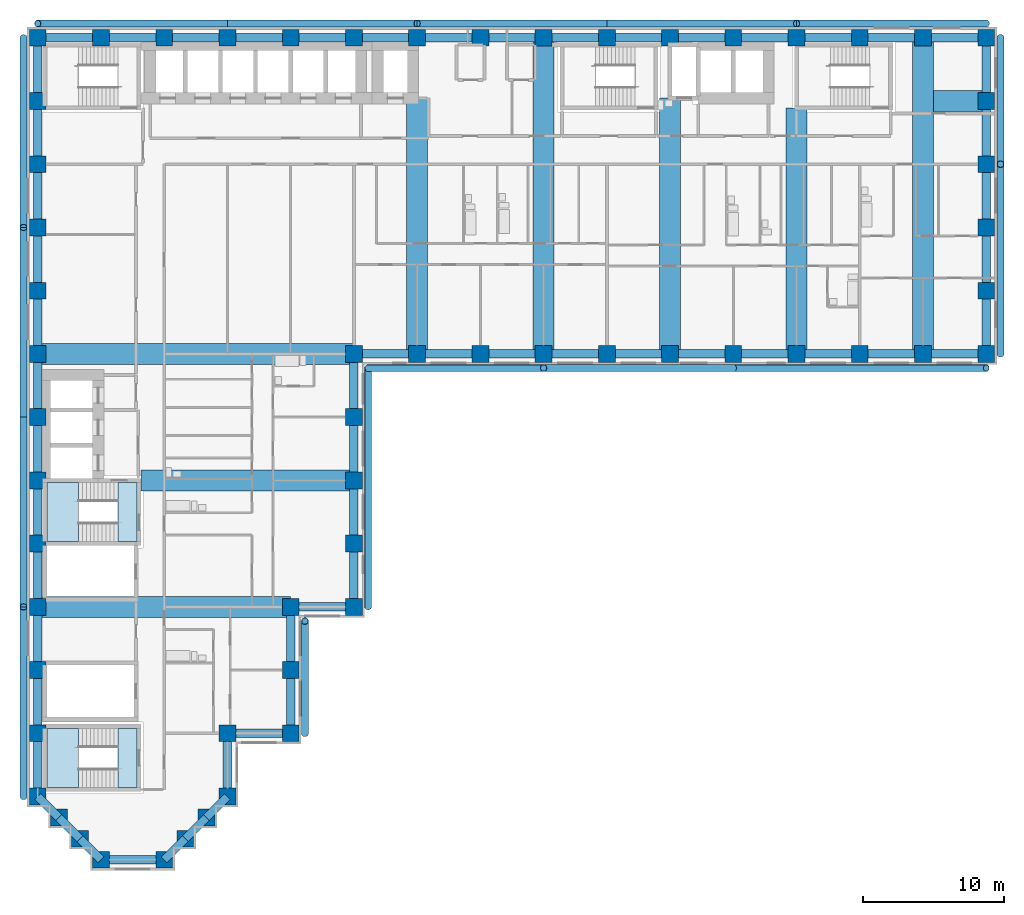
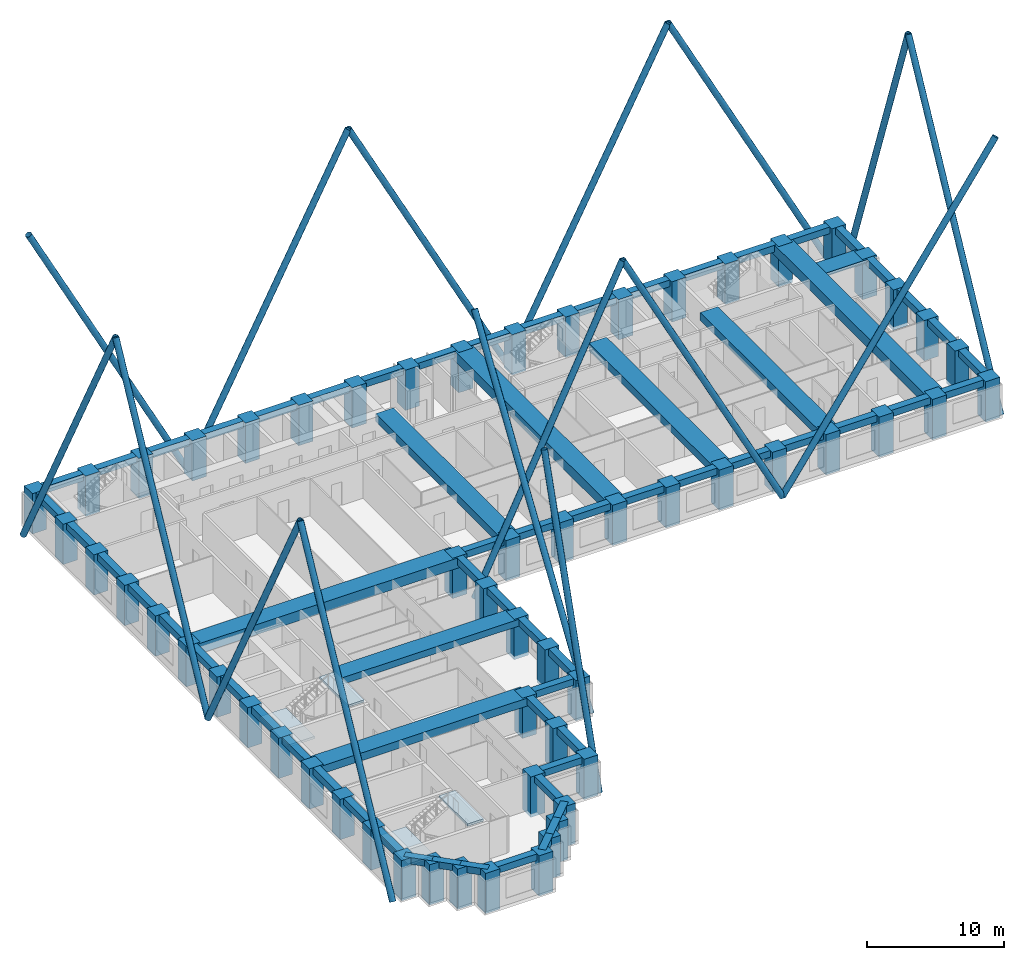
# One storey, part 1 of 12: 67 beams, 58 columns, 16 members, 4 slabs, 2 elements without a shape of their own.
"""IFC4 building model written with IfcOpenShell, lengths in metres."""

from ifc_helpers import new_model, si_unit, direction, frame, origin, origin_2d, place, context, subcontext, project, spatial, polyline, rectangle, hollow_circle, outline, extrude, material, layer, layer_set, material_profile, profile_set, type_object, element, aggregate, save


model = new_model("IFC4")

# Units and contexts
model_context = context("Model", 3, precision=1e-05, world=origin(), true_north=direction((0.0, 1.0)))
body_context = subcontext(model_context, "Body", "Model", "MODEL_VIEW")
ifc_project = project(units=[si_unit("LENGTHUNIT", "METRE"), si_unit("AREAUNIT", "SQUARE_METRE"), si_unit("VOLUMEUNIT", "CUBIC_METRE"), si_unit("PLANEANGLEUNIT", "RADIAN"), si_unit("MASSUNIT", "GRAM", prefix="KILO")], contexts=[model_context])

# Site, building, storey
site_placement = place(None, origin())
site = spatial("IfcSite", under=ifc_project, at=site_placement, CompositionType="ELEMENT")
building_placement = place(site_placement, origin())
building = spatial("IfcBuilding", under=site, at=building_placement, Name="Firuza Court", CompositionType="ELEMENT")
storey_placement = place(building_placement, frame((0.0, 0.0, 93.800048828125)))
storey = spatial("IfcBuildingStorey", under=building, at=storey_placement, Name="L23", CompositionType="ELEMENT", Elevation=93.800048828125)

# Columns
ifc_material_1 = material(Name="Concrete C70/85", Category="concrete")
ifc_material_profile_1 = material_profile(ifc_material_1, rectangle(XDim=1.199951171875, YDim=1.199951171875, at=origin_2d()), Name="RC 1200x1200")
ifc_profile_set_1 = profile_set([ifc_material_profile_1], Name="Concrete C70/85")
column_type = type_object("IfcColumnType", Name="Tube column RC 1200x1200 C70/85", PredefinedType="COLUMN", material=ifc_profile_set_1)
for number, where, z_axis, x_axis, name in (
    (1, (4.5, 0.0, -0.300048828125), (0.0, 0.0, 1.0), (1.0, 0.0, 0.0), "Column C-2D L23"),
    (2, (9.0, 0.0, -0.300048828125), (0.0, 0.0, 1.0), (1.0, 0.0, 0.0), "Column C-3D L23"),
    (3, (3.0, 1.5, -0.300048828125), (0.0, 0.0, 1.0), (1.0, 0.0, 0.0), "Column C-SA1 L23"),
    (4, (10.5, 1.5, -0.300048828125), (0.0, 0.0, 1.0), (1.0, 0.0, 0.0), "Column C-SA2 L23"),
    (5, (1.5, 3.0, -0.300048828125), (0.0, 0.0, 1.0), (1.0, 0.0, 0.0), "Column C-SA3 L23"),
    (6, (12.0, 3.0, -0.300048828125), (0.0, 0.0, 1.0), (1.0, 0.0, 0.0), "Column C-SA4 L23"),
    (7, (0.0, 4.5, -0.300048828125), (0.0, 0.0, 1.0), (1.0, 0.0, 0.0), "Column C-1E L23"),
    (8, (13.5, 4.5, -0.300048828125), (0.0, 0.0, 1.0), (1.0, 0.0, 0.0), "Column C-4E L23"),
    (9, (0.0, 9.0, -0.300048828125), (0.0, 0.0, 1.0), (1.0, 0.0, 0.0), "Column C-1F L23"),
    (10, (13.5, 9.0, -0.300048828125), (0.0, 0.0, 1.0), (1.0, 0.0, 0.0), "Column C-4F L23"),
    (11, (18.0, 9.0, -0.300048828125), (0.0, 0.0, 1.0), (1.0, 0.0, 0.0), "Column C-5F L23"),
    (12, (0.0, 13.5, -0.300048828125), (0.0, 0.0, 1.0), (1.0, 0.0, 0.0), "Column C-1G L23"),
    (13, (18.0, 13.5, -0.300048828125), (0.0, 0.0, 1.0), (1.0, 0.0, 0.0), "Column C-5G L23"),
    (14, (0.0, 18.0, -0.300048828125), (0.0, 0.0, 1.0), (1.0, 0.0, 0.0), "Column C-1H L23"),
    (15, (18.0, 18.0, -0.300048828125), (0.0, 0.0, 1.0), (1.0, 0.0, 0.0), "Column C-5H L23"),
    (16, (22.5, 18.0, -0.300048828125), (0.0, 0.0, 1.0), (1.0, 0.0, 0.0), "Column C-6H L23"),
    (17, (0.0, 22.5, -0.300048828125), (0.0, 0.0, 1.0), (1.0, 0.0, 0.0), "Column C-1J L23"),
    (18, (22.5, 22.5, -0.300048828125), (0.0, 0.0, 1.0), (1.0, 0.0, 0.0), "Column C-6J L23"),
    (19, (0.0, 27.0, -0.300048828125), (0.0, 0.0, 1.0), (1.0, 0.0, 0.0), "Column C-1K L23"),
    (20, (22.5, 27.0, -0.300048828125), (0.0, 0.0, 1.0), (1.0, 0.0, 0.0), "Column C-6K L23"),
    (21, (0.0, 31.5, -0.300048828125), (0.0, 0.0, 1.0), (1.0, 0.0, 0.0), "Column C-1L L23"),
    (22, (22.5, 31.5, -0.300048828125), (0.0, 0.0, 1.0), (1.0, 0.0, 0.0), "Column C-6L L23"),
    (23, (0.0, 36.0, -0.300048828125), (0.0, 0.0, 1.0), (1.0, 0.0, 0.0), "Column C-1M L23"),
    (24, (22.5, 36.0, -0.300048828125), (0.0, 0.0, 1.0), (1.0, 0.0, 0.0), "Column C-6M L23"),
    (25, (27.0, 36.0, -0.300048828125), (0.0, 0.0, 1.0), (1.0, 0.0, 0.0), "Column C-7M L23"),
    (26, (31.5, 36.0, -0.300048828125), (0.0, 0.0, 1.0), (1.0, 0.0, 0.0), "Column C-8M L23"),
    (27, (36.0, 36.0, -0.300048828125), (0.0, 0.0, 1.0), (1.0, 0.0, 0.0), "Column C-9M L23"),
    (28, (40.5, 36.0, -0.300048828125), (0.0, 0.0, 1.0), (1.0, 0.0, 0.0), "Column C-10M L23"),
    (29, (45.0, 36.0, -0.300048828125), (0.0, 0.0, 1.0), (1.0, 0.0, 0.0), "Column C-11M L23"),
    (30, (49.5, 36.0, -0.300048828125), (0.0, 0.0, 1.0), (1.0, 0.0, 0.0), "Column C-12M L23"),
    (31, (54.0, 36.0, -0.300048828125), (0.0, 0.0, 1.0), (1.0, 0.0, 0.0), "Column C-13M L23"),
    (32, (58.5, 36.0, -0.300048828125), (0.0, 0.0, 1.0), (1.0, 0.0, 0.0), "Column C-14M L23"),
    (33, (63.0, 36.0, -0.300048828125), (0.0, 0.0, 1.0), (1.0, 0.0, 0.0), "Column C-15M L23"),
    (34, (67.5, 36.0, -0.300048828125), (0.0, 0.0, 1.0), (1.0, 0.0, 0.0), "Column C-16M L23"),
    (35, (0.0, 40.5, -0.300048828125), (0.0, 0.0, 1.0), (1.0, 0.0, 0.0), "Column C-1N L23"),
    (36, (67.5, 40.5, -0.300048828125), (0.0, 0.0, 1.0), (1.0, 0.0, 0.0), "Column C-16N L23"),
    (37, (0.0, 45.0, -0.300048828125), (0.0, 0.0, 1.0), (1.0, 0.0, 0.0), "Column C-1P L23"),
    (38, (67.5, 45.0, -0.300048828125), (0.0, 0.0, 1.0), (1.0, 0.0, 0.0), "Column C-16P L23"),
    (39, (0.0, 49.5, -0.300048828125), (0.0, 0.0, 1.0), (1.0, 0.0, 0.0), "Column C-1Q L23"),
    (40, (67.5, 49.5, -0.300048828125), (0.0, 0.0, 1.0), (1.0, 0.0, 0.0), "Column C-16Q L23"),
    (41, (0.0, 54.0, -0.300048828125), (0.0, 0.0, 1.0), (1.0, 0.0, 0.0), "Column C-1R L23"),
    (42, (67.5, 54.0, -0.300048828125), (0.0, 0.0, 1.0), (1.0, 0.0, 0.0), "Column C-16R L23"),
    (43, (0.0, 58.5, -0.300048828125), (0.0, 0.0, 1.0), (1.0, 0.0, 0.0), "Column C-1S L23"),
    (44, (4.5, 58.5, -0.300048828125), (0.0, 0.0, 1.0), (1.0, 0.0, 0.0), "Column C-2S L23"),
    (45, (9.0, 58.5, -0.300048828125), (0.0, 0.0, 1.0), (1.0, 0.0, 0.0), "Column C-3S L23"),
    (46, (13.5, 58.5, -0.300048828125), (0.0, 0.0, 1.0), (1.0, 0.0, 0.0), "Column C-4S L23"),
    (47, (18.0, 58.5, -0.300048828125), (0.0, 0.0, 1.0), (1.0, 0.0, 0.0), "Column C-5S L23"),
    (48, (22.5, 58.5, -0.300048828125), (0.0, 0.0, 1.0), (1.0, 0.0, 0.0), "Column C-6S L23"),
    (49, (27.0, 58.5, -0.300048828125), (0.0, 0.0, 1.0), (1.0, 0.0, 0.0), "Column C-7S L23"),
    (50, (31.5, 58.5, -0.300048828125), (0.0, 0.0, 1.0), (1.0, 0.0, 0.0), "Column C-8S L23"),
    (51, (36.0, 58.5, -0.300048828125), (0.0, 0.0, 1.0), (1.0, 0.0, 0.0), "Column C-9S L23"),
    (52, (40.5, 58.5, -0.300048828125), (0.0, 0.0, 1.0), (1.0, 0.0, 0.0), "Column C-10S L23"),
    (53, (45.0, 58.5, -0.300048828125), (0.0, 0.0, 1.0), (1.0, 0.0, 0.0), "Column C-11S L23"),
    (54, (49.5, 58.5, -0.300048828125), (0.0, 0.0, 1.0), (1.0, 0.0, 0.0), "Column C-12S L23"),
    (55, (54.0, 58.5, -0.300048828125), (0.0, 0.0, 1.0), (1.0, 0.0, 0.0), "Column C-13S L23"),
    (56, (58.5, 58.5, -0.300048828125), (0.0, 0.0, 1.0), (1.0, 0.0, 0.0), "Column C-14S L23"),
    (57, (63.0, 58.5, -0.300048828125), (0.0, 0.0, 1.0), (1.0, 0.0, 0.0), "Column C-15S L23"),
    (58, (67.5, 58.5, -0.300048828125), (0.0, 0.0, 1.0), (1.0, 0.0, 0.0), "Column C-16S L23"),
):
    element("IfcColumn", number, at=place(storey_placement, frame(where, z_axis=z_axis, x_axis=x_axis)), inside=storey, type_object=column_type, Name=name, PredefinedType="COLUMN", context=body_context, shape_type="SweptSolid", body=[
        extrude(rectangle(XDim=1.199951171875, YDim=1.199951171875, at=origin_2d()), origin(), (0.0, 0.0, 1.0), 3.60009765625),
    ])

# Beams
ifc_material_2 = material(Name="Concrete C40/50", Category="concrete")
ifc_material_profile_2 = material_profile(ifc_material_2, rectangle(XDim=1.5, YDim=0.300048828125, at=origin_2d()), Name="RC 1500x300")
ifc_profile_set_2 = profile_set([ifc_material_profile_2], Name="Concrete C40/50")
beam_type_1 = type_object("IfcBeamType", Name="Band beam RC 1500x300 C40/50", PredefinedType="BEAM", material=ifc_profile_set_2)
beam_1_placement = place(storey_placement, frame((67.5, 54.0, 3.14990234375), z_axis=(-1.0, 0.0, 0.0), x_axis=(0.0, -1.0, 0.0)))
element("IfcBeam", 59, at=beam_1_placement, inside=storey, type_object=beam_type_1, Name="Band beam FB6 level L24", PredefinedType="BEAM", context=body_context, shape_type="SweptSolid", body=[
    extrude(rectangle(XDim=1.5, YDim=0.300048828125, at=origin_2d()), origin(), (0.0, 0.0, 1.0), 3.75),
])
ifc_material_3 = material(Name="Concrete C40/50", Category="concrete")
ifc_material_profile_3 = material_profile(ifc_material_3, rectangle(XDim=1.5, YDim=0.60009765625, at=origin_2d()), Name="RC 1500x600")
ifc_profile_set_3 = profile_set([ifc_material_profile_3], Name="Concrete C40/50")
beam_type_2 = type_object("IfcBeamType", Name="Band beam RC 1500x600 C40/50", PredefinedType="BEAM", material=ifc_profile_set_3)
beam_2_placement = place(storey_placement, frame((22.5, 27.0, 3.0), z_axis=(-1.0, 0.0, 0.0), x_axis=(0.0, -1.0, 0.0)))
element("IfcBeam", 60, at=beam_2_placement, inside=storey, type_object=beam_type_2, Name="Band beam FB3 level L24", PredefinedType="BEAM", context=body_context, shape_type="SweptSolid", body=[
    extrude(rectangle(XDim=1.5, YDim=0.60009765625, at=origin_2d()), origin(), (0.0, 0.0, 1.0), 15.14990234375),
])
ifc_material_4 = material(Name="Concrete C40/50", Category="concrete")
ifc_material_profile_4 = material_profile(ifc_material_4, rectangle(XDim=1.5, YDim=0.699951171875, at=origin_2d()), Name="RC 1500x700")
ifc_profile_set_4 = profile_set([ifc_material_profile_4], Name="Concrete C40/50")
beam_type_3 = type_object("IfcBeamType", Name="Band beam RC 1500x700 C40/50", PredefinedType="BEAM", material=ifc_profile_set_4)
beam_3_placement = place(storey_placement, frame((0.0, 18.0, 2.949951171875), z_axis=(1.0, 0.0, 0.0), x_axis=(0.0, 1.0, 0.0)))
element("IfcBeam", 61, at=beam_3_placement, inside=storey, type_object=beam_type_3, Name="Band beam FB1 level L24", PredefinedType="BEAM", context=body_context, shape_type="SweptSolid", body=[
    extrude(rectangle(XDim=1.5, YDim=0.699951171875, at=origin_2d()), origin(), (0.0, 0.0, 1.0), 18.0),
])
for number, where, z_axis, x_axis, name in (
    (62, (27.0, 36.0, 2.949951171875), (0.0, 1.0, 0.0), (-1.0, 0.0, 0.0), "Band beam FB1 level L24"),
    (63, (45.0, 36.0, 2.949951171875), (0.0, 1.0, 0.0), (-1.0, 0.0, 0.0), "Band beam FB1 level L24"),
):
    element("IfcBeam", number, at=place(storey_placement, frame(where, z_axis=z_axis, x_axis=x_axis)), inside=storey, type_object=beam_type_3, Name=name, PredefinedType="BEAM", context=body_context, shape_type="SweptSolid", body=[
        extrude(rectangle(XDim=1.5, YDim=0.699951171875, at=origin_2d()), origin(), (0.0, 0.0, 1.0), 18.199951171875),
    ])
beam_4_placement = place(storey_placement, frame((54.0, 36.0, 2.949951171875), z_axis=(0.0, 1.0, 0.0), x_axis=(-1.0, 0.0, 0.0)))
element("IfcBeam", 64, at=beam_4_placement, inside=storey, type_object=beam_type_3, Name="Band beam FB1 level L24", PredefinedType="BEAM", context=body_context, shape_type="SweptSolid", body=[
    extrude(rectangle(XDim=1.5, YDim=0.699951171875, at=origin_2d()), origin(), (0.0, 0.0, 1.0), 17.5),
])
ifc_material_5 = material(Name="Concrete C40/50", Category="concrete")
ifc_material_profile_5 = material_profile(ifc_material_5, rectangle(XDim=1.5, YDim=0.89990234375, at=origin_2d()), Name="RC 1500x900")
ifc_profile_set_5 = profile_set([ifc_material_profile_5], Name="Concrete C40/50")
beam_type_4 = type_object("IfcBeamType", Name="Band beam RC 1500x900 C40/50", PredefinedType="BEAM", material=ifc_profile_set_5)
for number, where, z_axis, x_axis, name in (
    (65, (0.0, 36.0, 2.849853515625), (1.0, 0.0, 0.0), (0.0, 1.0, 0.0), "Band beam FB2 level L24"),
    (66, (36.0, 36.0, 2.849853515625), (0.0, 1.0, 0.0), (-1.0, 0.0, 0.0), "Band beam FB2 level L24"),
    (67, (63.0, 36.0, 2.849853515625), (0.0, 1.0, 0.0), (-1.0, 0.0, 0.0), "Band beam FB2 level L24"),
):
    element("IfcBeam", number, at=place(storey_placement, frame(where, z_axis=z_axis, x_axis=x_axis)), inside=storey, type_object=beam_type_4, Name=name, PredefinedType="BEAM", context=body_context, shape_type="SweptSolid", body=[
        extrude(rectangle(XDim=1.5, YDim=0.89990234375, at=origin_2d()), origin(), (0.0, 0.0, 1.0), 22.5),
    ])

# Members
ifc_material_6 = material(Name="Steel S355", Category="steel")
ifc_material_profile_6 = material_profile(ifc_material_6, hollow_circle(Radius=0.25390625, WallThickness=0.02001953125, at=origin_2d()), Name="CHS 508x20")
ifc_profile_set_6 = profile_set([ifc_material_profile_6], Name="Steel S355")
member_type = type_object("IfcMemberType", Name="Diagrid diagonal CHS 508x20 S355", PredefinedType="USERDEFINED", material=ifc_profile_set_6)
member_1_placement = place(storey_placement, frame((19.009033203125, 9.0, -0.550048828125), z_axis=(0.0, 0.295860681, 0.955231101587), x_axis=(-1.0, 0.0, 0.0)))
element("IfcMember", 68, at=member_1_placement, inside=storey, type_object=member_type, Name="Diagrid diagonal L23 to L29", ObjectType="DIAGRID", PredefinedType="USERDEFINED", context=body_context, shape_type="SweptSolid", body=[
    extrude(hollow_circle(Radius=0.25390625, WallThickness=0.02001953125, at=origin_2d()), origin(), (0.0, 0.0, 1.0), 27.00927734375),
])
member_2_placement = place(storey_placement, frame((23.509033203125, 18.0, -0.550048828125), z_axis=(0.0, 0.550006165459, 0.835160594112), x_axis=(-1.0, 0.0, 0.0)))
element("IfcMember", 69, at=member_2_placement, inside=storey, type_object=member_type, Name="Diagrid diagonal L23 to L29", ObjectType="DIAGRID", PredefinedType="USERDEFINED", context=body_context, shape_type="SweptSolid", body=[
    extrude(hollow_circle(Radius=0.25390625, WallThickness=0.02001953125, at=origin_2d()), origin(), (0.0, 0.0, 1.0), 30.892333984375),
])
member_3_placement = place(storey_placement, frame((23.509033203125, 34.990966796875, -0.550048828125), z_axis=(0.435760832432, 0.0, 0.900062496118), x_axis=(0.0, 1.0, 0.0)))
element("IfcMember", 70, at=member_3_placement, inside=storey, type_object=member_type, Name="Diagrid diagonal L23 to L29", ObjectType="DIAGRID", PredefinedType="USERDEFINED", context=body_context, shape_type="SweptSolid", body=[
    extrude(hollow_circle(Radius=0.25390625, WallThickness=0.02001953125, at=origin_2d()), origin(), (0.0, 0.0, 1.0), 28.664794921875),
])
member_4_placement = place(storey_placement, frame((49.5, 34.990966796875, -0.550048828125), z_axis=(-0.463621285291, 0.0, 0.886033466538), x_axis=(0.0, -1.0, 0.0)))
element("IfcMember", 71, at=member_4_placement, inside=storey, type_object=member_type, Name="Diagrid diagonal L23 to L29", ObjectType="DIAGRID", PredefinedType="USERDEFINED", context=body_context, shape_type="SweptSolid", body=[
    extrude(hollow_circle(Radius=0.25390625, WallThickness=0.02001953125, at=origin_2d()), origin(), (0.0, 0.0, 1.0), 29.11865234375),
])
member_5_placement = place(storey_placement, frame((49.5, 34.990966796875, -0.550048828125), z_axis=(0.572180867664, 0.0, 0.820127462459), x_axis=(0.0, 1.0, 0.0)))
element("IfcMember", 72, at=member_5_placement, inside=storey, type_object=member_type, Name="Diagrid diagonal L23 to L29", ObjectType="DIAGRID", PredefinedType="USERDEFINED", context=body_context, shape_type="SweptSolid", body=[
    extrude(hollow_circle(Radius=0.25390625, WallThickness=0.02001953125, at=origin_2d()), origin(), (0.0, 0.0, 1.0), 31.45849609375),
])
member_6_placement = place(storey_placement, frame((68.509033203125, 36.0, -0.550048828125), z_axis=(0.0, 0.463621285291, 0.886033466538), x_axis=(-1.0, 0.0, 0.0)))
element("IfcMember", 73, at=member_6_placement, inside=storey, type_object=member_type, Name="Diagrid diagonal L23 to L29", ObjectType="DIAGRID", PredefinedType="USERDEFINED", context=body_context, shape_type="SweptSolid", body=[
    extrude(hollow_circle(Radius=0.25390625, WallThickness=0.02001953125, at=origin_2d()), origin(), (0.0, 0.0, 1.0), 29.11865234375),
])
member_7_placement = place(storey_placement, frame((68.509033203125, 58.5, -0.550048828125), z_axis=(0.0, -0.329371600587, 0.944200375305), x_axis=(1.0, 0.0, 0.0)))
element("IfcMember", 74, at=member_7_placement, inside=storey, type_object=member_type, Name="Diagrid diagonal L23 to L29", ObjectType="DIAGRID", PredefinedType="USERDEFINED", context=body_context, shape_type="SweptSolid", body=[
    extrude(hollow_circle(Radius=0.25390625, WallThickness=0.02001953125, at=origin_2d()), origin(), (0.0, 0.0, 1.0), 27.32470703125),
])
for number, where, z_axis, x_axis, name in (
    (75, (67.5, 59.509033203125, -0.550048828125), (-0.463621285291, 0.0, 0.886033466538), (0.0, -1.0, 0.0), "Diagrid diagonal L23 to L29"),
    (76, (40.5, 59.509033203125, -0.550048828125), (0.463621285291, 0.0, 0.886033466538), (0.0, 1.0, 0.0), "Diagrid diagonal L23 to L29"),
    (77, (40.5, 59.509033203125, -0.550048828125), (-0.463621285291, 0.0, 0.886033466538), (0.0, -1.0, 0.0), "Diagrid diagonal L23 to L29"),
    (78, (13.5, 59.509033203125, -0.550048828125), (0.463621285291, 0.0, 0.886033466538), (0.0, 1.0, 0.0), "Diagrid diagonal L23 to L29"),
    (79, (13.5, 59.509033203125, -0.550048828125), (-0.463621285291, 0.0, 0.886033466538), (0.0, -1.0, 0.0), "Diagrid diagonal L23 to L29"),
    (80, (-1.009033203125, 58.5, -0.550048828125), (0.0, -0.463621285291, 0.886033466538), (1.0, 0.0, 0.0), "Diagrid diagonal L23 to L29"),
    (81, (-1.009033203125, 31.5, -0.550048828125), (0.0, 0.463621285291, 0.886033466538), (-1.0, 0.0, 0.0), "Diagrid diagonal L23 to L29"),
    (82, (-1.009033203125, 31.5, -0.550048828125), (0.0, -0.463621285291, 0.886033466538), (1.0, 0.0, 0.0), "Diagrid diagonal L23 to L29"),
    (83, (-1.009033203125, 4.5, -0.550048828125), (0.0, 0.463621285291, 0.886033466538), (-1.0, 0.0, 0.0), "Diagrid diagonal L23 to L29"),
):
    element("IfcMember", number, at=place(storey_placement, frame(where, z_axis=z_axis, x_axis=x_axis)), inside=storey, type_object=member_type, Name=name, ObjectType="DIAGRID", PredefinedType="USERDEFINED", context=body_context, shape_type="SweptSolid", body=[
        extrude(hollow_circle(Radius=0.25390625, WallThickness=0.02001953125, at=origin_2d()), origin(), (0.0, 0.0, 1.0), 29.11865234375),
    ])

# Beams
ifc_material_7 = material(Name="Concrete C40/50", Category="concrete")
ifc_material_profile_7 = material_profile(ifc_material_7, rectangle(XDim=0.60009765625, YDim=0.60009765625, at=origin_2d()), Name="RC 600x600")
ifc_profile_set_7 = profile_set([ifc_material_profile_7], Name="Concrete C40/50")
beam_type_5 = type_object("IfcBeamType", Name="Spandrel beam RC 600x600 C40/50", PredefinedType="BEAM", material=ifc_profile_set_7)
beam_5_placement = place(storey_placement, frame((0.0, 4.5, 3.0), z_axis=(0.707106781187, -0.707106781187, 0.0), x_axis=(0.707106781187, 0.707106781187, 0.0)))
element("IfcBeam", 84, at=beam_5_placement, inside=storey, type_object=beam_type_5, Name="Spandrel beam SP11 level L24", PredefinedType="BEAM", context=body_context, shape_type="SweptSolid", body=[
    extrude(rectangle(XDim=0.60009765625, YDim=0.60009765625, at=origin_2d()), origin(), (0.0, 0.0, 1.0), 2.121337890625),
])
for number, where, z_axis, x_axis, name in (
    (85, (0.0, 9.0, 3.0), (0.0, -1.0, 0.0), (1.0, 0.0, 0.0), "Spandrel beam SP11 level L24"),
    (86, (0.0, 13.5, 3.0), (0.0, -1.0, 0.0), (1.0, 0.0, 0.0), "Spandrel beam SP11 level L24"),
    (87, (0.0, 18.0, 3.0), (0.0, -1.0, 0.0), (1.0, 0.0, 0.0), "Spandrel beam SP11 level L24"),
    (88, (0.0, 22.5, 3.0), (0.0, -1.0, 0.0), (1.0, 0.0, 0.0), "Spandrel beam SP11 level L24"),
    (89, (0.0, 27.0, 3.0), (0.0, -1.0, 0.0), (1.0, 0.0, 0.0), "Spandrel beam SP11 level L24"),
    (90, (0.0, 31.5, 3.0), (0.0, -1.0, 0.0), (1.0, 0.0, 0.0), "Spandrel beam SP11 level L24"),
    (91, (0.0, 36.0, 3.0), (0.0, -1.0, 0.0), (1.0, 0.0, 0.0), "Spandrel beam SP11 level L24"),
    (92, (0.0, 40.5, 3.0), (0.0, -1.0, 0.0), (1.0, 0.0, 0.0), "Spandrel beam SP11 level L24"),
    (93, (0.0, 45.0, 3.0), (0.0, -1.0, 0.0), (1.0, 0.0, 0.0), "Spandrel beam SP11 level L24"),
    (94, (0.0, 49.5, 3.0), (0.0, -1.0, 0.0), (1.0, 0.0, 0.0), "Spandrel beam SP11 level L24"),
    (95, (0.0, 54.0, 3.0), (0.0, -1.0, 0.0), (1.0, 0.0, 0.0), "Spandrel beam SP11 level L24"),
    (96, (0.0, 58.5, 3.0), (0.0, -1.0, 0.0), (1.0, 0.0, 0.0), "Spandrel beam SP11 level L24"),
):
    element("IfcBeam", number, at=place(storey_placement, frame(where, z_axis=z_axis, x_axis=x_axis)), inside=storey, type_object=beam_type_5, Name=name, PredefinedType="BEAM", context=body_context, shape_type="SweptSolid", body=[
        extrude(rectangle(XDim=0.60009765625, YDim=0.60009765625, at=origin_2d()), origin(), (0.0, 0.0, 1.0), 4.5),
    ])
for number, where, z_axis, x_axis, name in (
    (97, (1.5, 3.0, 3.0), (0.707106781187, -0.707106781187, 0.0), (0.707106781187, 0.707106781187, 0.0), "Spandrel beam SP11 level L24"),
    (98, (3.0, 1.5, 3.0), (0.707106781187, -0.707106781187, 0.0), (0.707106781187, 0.707106781187, 0.0), "Spandrel beam SP11 level L24"),
):
    element("IfcBeam", number, at=place(storey_placement, frame(where, z_axis=z_axis, x_axis=x_axis)), inside=storey, type_object=beam_type_5, Name=name, PredefinedType="BEAM", context=body_context, shape_type="SweptSolid", body=[
        extrude(rectangle(XDim=0.60009765625, YDim=0.60009765625, at=origin_2d()), origin(), (0.0, 0.0, 1.0), 2.121337890625),
    ])
for number, where, z_axis, x_axis, name in (
    (99, (4.5, 0.0, 3.0), (1.0, 0.0, 0.0), (0.0, 1.0, 0.0), "Spandrel beam SP11 level L24"),
    (100, (4.5, 58.5, 3.0), (-1.0, 0.0, 0.0), (0.0, -1.0, 0.0), "Spandrel beam SP11 level L24"),
):
    element("IfcBeam", number, at=place(storey_placement, frame(where, z_axis=z_axis, x_axis=x_axis)), inside=storey, type_object=beam_type_5, Name=name, PredefinedType="BEAM", context=body_context, shape_type="SweptSolid", body=[
        extrude(rectangle(XDim=0.60009765625, YDim=0.60009765625, at=origin_2d()), origin(), (0.0, 0.0, 1.0), 4.5),
    ])
beam_6_placement = place(storey_placement, frame((9.0, 0.0, 3.0), z_axis=(0.707106781187, 0.707106781187, 0.0), x_axis=(-0.707106781187, 0.707106781187, 0.0)))
element("IfcBeam", 101, at=beam_6_placement, inside=storey, type_object=beam_type_5, Name="Spandrel beam SP11 level L24", PredefinedType="BEAM", context=body_context, shape_type="SweptSolid", body=[
    extrude(rectangle(XDim=0.60009765625, YDim=0.60009765625, at=origin_2d()), origin(), (0.0, 0.0, 1.0), 2.121337890625),
])
beam_7_placement = place(storey_placement, frame((9.0, 58.5, 3.0), z_axis=(-1.0, 0.0, 0.0), x_axis=(0.0, -1.0, 0.0)))
element("IfcBeam", 102, at=beam_7_placement, inside=storey, type_object=beam_type_5, Name="Spandrel beam SP11 level L24", PredefinedType="BEAM", context=body_context, shape_type="SweptSolid", body=[
    extrude(rectangle(XDim=0.60009765625, YDim=0.60009765625, at=origin_2d()), origin(), (0.0, 0.0, 1.0), 4.5),
])
for number, where, z_axis, x_axis, name in (
    (103, (10.5, 1.5, 3.0), (0.707106781187, 0.707106781187, 0.0), (-0.707106781187, 0.707106781187, 0.0), "Spandrel beam SP11 level L24"),
    (104, (12.0, 3.0, 3.0), (0.707106781187, 0.707106781187, 0.0), (-0.707106781187, 0.707106781187, 0.0), "Spandrel beam SP11 level L24"),
):
    element("IfcBeam", number, at=place(storey_placement, frame(where, z_axis=z_axis, x_axis=x_axis)), inside=storey, type_object=beam_type_5, Name=name, PredefinedType="BEAM", context=body_context, shape_type="SweptSolid", body=[
        extrude(rectangle(XDim=0.60009765625, YDim=0.60009765625, at=origin_2d()), origin(), (0.0, 0.0, 1.0), 2.121337890625),
    ])
for number, where, z_axis, x_axis, name in (
    (105, (13.5, 4.5, 3.0), (0.0, 1.0, 0.0), (-1.0, 0.0, 0.0), "Spandrel beam SP11 level L24"),
    (106, (13.5, 9.0, 3.0), (1.0, 0.0, 0.0), (0.0, 1.0, 0.0), "Spandrel beam SP11 level L24"),
    (107, (13.5, 58.5, 3.0), (-1.0, 0.0, 0.0), (0.0, -1.0, 0.0), "Spandrel beam SP11 level L24"),
    (108, (18.0, 9.0, 3.0), (0.0, 1.0, 0.0), (-1.0, 0.0, 0.0), "Spandrel beam SP11 level L24"),
    (109, (18.0, 13.5, 3.0), (0.0, 1.0, 0.0), (-1.0, 0.0, 0.0), "Spandrel beam SP11 level L24"),
    (110, (18.0, 18.0, 3.0), (1.0, 0.0, 0.0), (0.0, 1.0, 0.0), "Spandrel beam SP11 level L24"),
    (111, (18.0, 58.5, 3.0), (-1.0, 0.0, 0.0), (0.0, -1.0, 0.0), "Spandrel beam SP11 level L24"),
    (112, (22.5, 18.0, 3.0), (0.0, 1.0, 0.0), (-1.0, 0.0, 0.0), "Spandrel beam SP11 level L24"),
    (113, (22.5, 22.5, 3.0), (0.0, 1.0, 0.0), (-1.0, 0.0, 0.0), "Spandrel beam SP11 level L24"),
    (114, (22.5, 27.0, 3.0), (0.0, 1.0, 0.0), (-1.0, 0.0, 0.0), "Spandrel beam SP11 level L24"),
    (115, (22.5, 31.5, 3.0), (0.0, 1.0, 0.0), (-1.0, 0.0, 0.0), "Spandrel beam SP11 level L24"),
    (116, (22.5, 36.0, 3.0), (1.0, 0.0, 0.0), (0.0, 1.0, 0.0), "Spandrel beam SP11 level L24"),
    (117, (22.5, 58.5, 3.0), (-1.0, 0.0, 0.0), (0.0, -1.0, 0.0), "Spandrel beam SP11 level L24"),
    (118, (27.0, 36.0, 3.0), (1.0, 0.0, 0.0), (0.0, 1.0, 0.0), "Spandrel beam SP11 level L24"),
    (119, (27.0, 58.5, 3.0), (-1.0, 0.0, 0.0), (0.0, -1.0, 0.0), "Spandrel beam SP11 level L24"),
    (120, (31.5, 36.0, 3.0), (1.0, 0.0, 0.0), (0.0, 1.0, 0.0), "Spandrel beam SP11 level L24"),
    (121, (31.5, 58.5, 3.0), (-1.0, 0.0, 0.0), (0.0, -1.0, 0.0), "Spandrel beam SP11 level L24"),
    (122, (36.0, 36.0, 3.0), (1.0, 0.0, 0.0), (0.0, 1.0, 0.0), "Spandrel beam SP11 level L24"),
    (123, (36.0, 58.5, 3.0), (-1.0, 0.0, 0.0), (0.0, -1.0, 0.0), "Spandrel beam SP11 level L24"),
    (124, (40.5, 36.0, 3.0), (1.0, 0.0, 0.0), (0.0, 1.0, 0.0), "Spandrel beam SP11 level L24"),
    (125, (40.5, 58.5, 3.0), (-1.0, 0.0, 0.0), (0.0, -1.0, 0.0), "Spandrel beam SP11 level L24"),
    (126, (45.0, 36.0, 3.0), (1.0, 0.0, 0.0), (0.0, 1.0, 0.0), "Spandrel beam SP11 level L24"),
    (127, (45.0, 58.5, 3.0), (-1.0, 0.0, 0.0), (0.0, -1.0, 0.0), "Spandrel beam SP11 level L24"),
    (128, (49.5, 36.0, 3.0), (1.0, 0.0, 0.0), (0.0, 1.0, 0.0), "Spandrel beam SP11 level L24"),
    (129, (49.5, 58.5, 3.0), (-1.0, 0.0, 0.0), (0.0, -1.0, 0.0), "Spandrel beam SP11 level L24"),
    (130, (54.0, 36.0, 3.0), (1.0, 0.0, 0.0), (0.0, 1.0, 0.0), "Spandrel beam SP11 level L24"),
    (131, (54.0, 58.5, 3.0), (-1.0, 0.0, 0.0), (0.0, -1.0, 0.0), "Spandrel beam SP11 level L24"),
    (132, (58.5, 36.0, 3.0), (1.0, 0.0, 0.0), (0.0, 1.0, 0.0), "Spandrel beam SP11 level L24"),
    (133, (58.5, 58.5, 3.0), (-1.0, 0.0, 0.0), (0.0, -1.0, 0.0), "Spandrel beam SP11 level L24"),
    (134, (63.0, 36.0, 3.0), (1.0, 0.0, 0.0), (0.0, 1.0, 0.0), "Spandrel beam SP11 level L24"),
    (135, (63.0, 58.5, 3.0), (-1.0, 0.0, 0.0), (0.0, -1.0, 0.0), "Spandrel beam SP11 level L24"),
    (136, (67.5, 36.0, 3.0), (0.0, 1.0, 0.0), (-1.0, 0.0, 0.0), "Spandrel beam SP11 level L24"),
    (137, (67.5, 40.5, 3.0), (0.0, 1.0, 0.0), (-1.0, 0.0, 0.0), "Spandrel beam SP11 level L24"),
    (138, (67.5, 45.0, 3.0), (0.0, 1.0, 0.0), (-1.0, 0.0, 0.0), "Spandrel beam SP11 level L24"),
    (139, (67.5, 49.5, 3.0), (0.0, 1.0, 0.0), (-1.0, 0.0, 0.0), "Spandrel beam SP11 level L24"),
    (140, (67.5, 54.0, 3.0), (0.0, 1.0, 0.0), (-1.0, 0.0, 0.0), "Spandrel beam SP11 level L24"),
    (141, (67.5, 58.5, 3.0), (-1.0, 0.0, 0.0), (0.0, -1.0, 0.0), "Spandrel beam SP11 level L24"),
):
    element("IfcBeam", number, at=place(storey_placement, frame(where, z_axis=z_axis, x_axis=x_axis)), inside=storey, type_object=beam_type_5, Name=name, PredefinedType="BEAM", context=body_context, shape_type="SweptSolid", body=[
        extrude(rectangle(XDim=0.60009765625, YDim=0.60009765625, at=origin_2d()), origin(), (0.0, 0.0, 1.0), 4.5),
    ])

# Stair, slabs
ifc_material_8 = material(Name="Concrete C40/50 precast", Category="concrete")
stair_type = type_object("IfcStairType", Name="Stair 1350 x 3600 2 flights", PredefinedType="HALF_TURN_STAIR", material=ifc_material_8)
stair_1_placement = place(storey_placement, origin())
stair_1 = element("IfcStair", 142, at=stair_1_placement, inside=storey, type_object=stair_type, Name="Stair 2 L23", PredefinedType="HALF_TURN_STAIR")
ifc_material_9 = material(Name="Concrete C40/50 precast", Category="concrete")
ifc_layer = layer(ifc_material_9, 0.199951171875)
ifc_layer_set = layer_set([ifc_layer], Name="Concrete C40/50 precast")
slab_type = type_object("IfcSlabType", Name="Stair landing 200", PredefinedType="LANDING", material=ifc_layer_set)
slab_1_placement = place(storey_placement, frame((0.0, 0.0, 1.599853515625)))
slab_1 = element("IfcSlab", 143, at=slab_1_placement, type_object=slab_type, Name="S2 landing 1", PredefinedType="LANDING", context=body_context, shape_type="SweptSolid", body=[
    extrude(outline(polyline([(2.89990234375, 22.64990234375), (2.89990234375, 26.85009765625), (0.64990234375, 26.85009765625), (0.64990234375, 22.64990234375), (2.89990234375, 22.64990234375)])), origin(), (0.0, 0.0, 1.0), 0.2001953125),
])
slab_2_placement = place(storey_placement, frame((0.0, 0.0, 3.39990234375)))
slab_2 = element("IfcSlab", 144, at=slab_2_placement, type_object=slab_type, Name="S2 landing 2", PredefinedType="LANDING", context=body_context, shape_type="SweptSolid", body=[
    extrude(outline(polyline([(7.050048828125, 22.64990234375), (7.050048828125, 26.85009765625), (5.699951171875, 26.85009765625), (5.699951171875, 22.64990234375), (7.050048828125, 22.64990234375)])), origin(), (0.0, 0.0, 1.0), 0.199951171875),
])
aggregate(stair_1, [slab_1, slab_2])

stair_2_placement = place(storey_placement, origin())
stair_2 = element("IfcStair", 145, at=stair_2_placement, inside=storey, type_object=stair_type, Name="Stair 5 L23", PredefinedType="HALF_TURN_STAIR")
slab_3_placement = place(storey_placement, frame((0.0, 0.0, 1.599853515625)))
slab_3 = element("IfcSlab", 146, at=slab_3_placement, type_object=slab_type, Name="S5 landing 1", PredefinedType="LANDING", context=body_context, shape_type="SweptSolid", body=[
    extrude(outline(polyline([(2.89990234375, 5.14990234375), (2.89990234375, 9.35009765625), (0.64990234375, 9.35009765625), (0.64990234375, 5.14990234375), (2.89990234375, 5.14990234375)])), origin(), (0.0, 0.0, 1.0), 0.2001953125),
])
slab_4_placement = place(storey_placement, frame((0.0, 0.0, 3.39990234375)))
slab_4 = element("IfcSlab", 147, at=slab_4_placement, type_object=slab_type, Name="S5 landing 2", PredefinedType="LANDING", context=body_context, shape_type="SweptSolid", body=[
    extrude(outline(polyline([(7.050048828125, 5.14990234375), (7.050048828125, 9.35009765625), (5.699951171875, 9.35009765625), (5.699951171875, 5.14990234375), (7.050048828125, 5.14990234375)])), origin(), (0.0, 0.0, 1.0), 0.199951171875),
])
aggregate(stair_2, [slab_3, slab_4])

save(model, "model.ifc")
